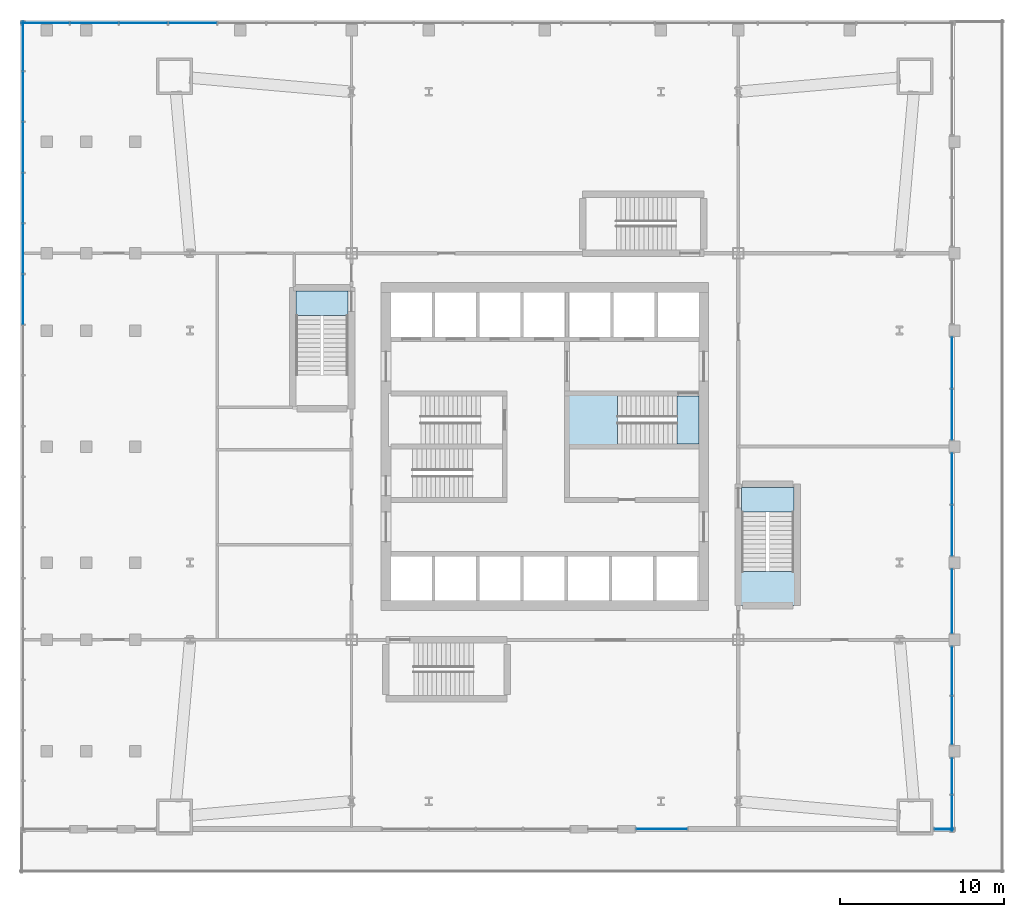
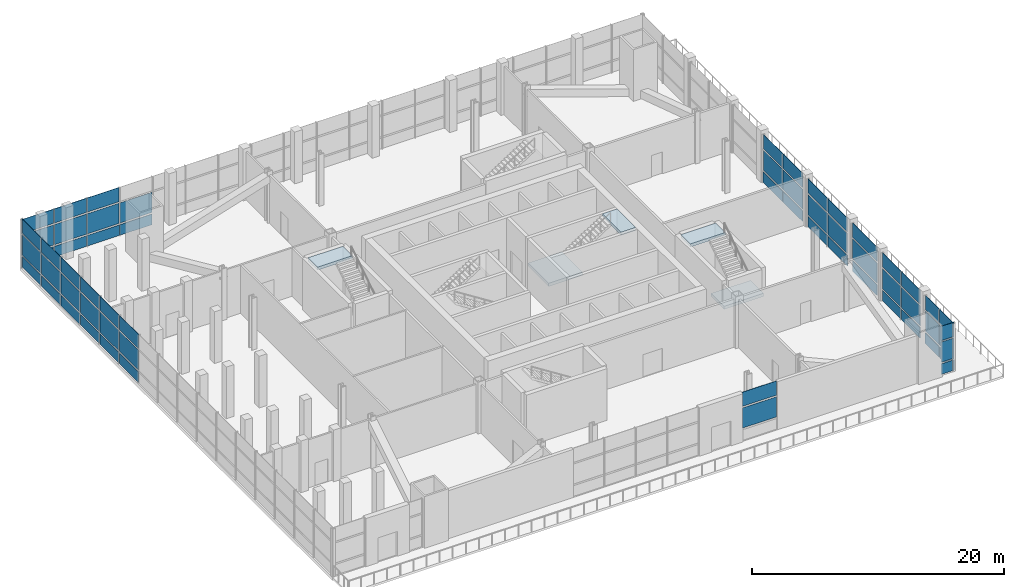
# One storey, part 7 of 12: 61 plates, 5 slabs, 12 elements without a shape of their own.
"""IFC4 building model written with IfcOpenShell, lengths in metres."""

from ifc_helpers import new_model, si_unit, direction, frame, origin, origin_2d, place, context, subcontext, project, spatial, polyline, rectangle, outline, extrude, material, layer, layer_set, type_object, element, aggregate, save


model = new_model("IFC4")

# Units and contexts
model_context = context("Model", 3, precision=1e-05, world=origin(), true_north=direction((0.0, 1.0)))
body_context = subcontext(model_context, "Body", "Model", "MODEL_VIEW")
ifc_project = project(units=[si_unit("LENGTHUNIT", "METRE"), si_unit("AREAUNIT", "SQUARE_METRE"), si_unit("VOLUMEUNIT", "CUBIC_METRE"), si_unit("PLANEANGLEUNIT", "RADIAN"), si_unit("MASSUNIT", "GRAM", prefix="KILO")], contexts=[model_context])

# Site, building, storey
site_placement = place(None, origin())
site = spatial("IfcSite", under=ifc_project, at=site_placement, CompositionType="ELEMENT")
building_placement = place(site_placement, origin())
building = spatial("IfcBuilding", under=site, at=building_placement, Name="Turquesa Mirador Hotel Tower", CompositionType="ELEMENT")
storey_placement = place(building_placement, frame((0.0, 0.0, 11.0)))
storey = spatial("IfcBuildingStorey", under=building, at=storey_placement, Name="L02", CompositionType="ELEMENT", Elevation=11.0)

# Curtain wall, plate
ifc_material_1 = material(Name="Aluminium extrusion", Category="aluminium")
curtain_wall_type = type_object("IfcCurtainWallType", Name="CW-2 PODIUM CURTAIN WALL", PredefinedType="USERDEFINED", material=ifc_material_1)
curtain_wall_1_placement = place(storey_placement, origin())
curtain_wall_1 = element("IfcCurtainWall", 1, at=curtain_wall_1_placement, inside=storey, type_object=curtain_wall_type, Name="CW-2 PODIUM CURTAIN WALL L02", ObjectType="CURTAIN WALL", PredefinedType="USERDEFINED")
ifc_material_2 = material(Name="Ceramic-printed spandrel glass on an insulated back pan", Category="glass")
ifc_layer_1 = layer(ifc_material_2, 0.050048828125)
ifc_layer_set_1 = layer_set([ifc_layer_1], Name="CW PANEL SPANDREL CERAMIC")
plate_type_1 = type_object("IfcPlateType", Name="CW PANEL SPANDREL CERAMIC", PredefinedType="CURTAIN_PANEL", material=ifc_layer_set_1)
plate_1_placement = place(storey_placement, frame((79.3671875, 21.64990234375, 0.0), z_axis=(0.0, 0.0, 1.0), x_axis=(1.0, 0.0, 0.0)))
plate_1 = element("IfcPlate", 2, at=plate_1_placement, type_object=plate_type_1, Name="Panel", PredefinedType="CURTAIN_PANEL", context=body_context, shape_type="SweptSolid", body=[
    extrude(rectangle(XDim=1.200439453125, YDim=0.050048828125, at=origin_2d()), origin(), (0.0, 0.0, 1.0), 1.02490234375),
])

# Curtain wall, plates
curtain_wall_2_placement = place(storey_placement, origin())
curtain_wall_2 = element("IfcCurtainWall", 3, at=curtain_wall_2_placement, inside=storey, type_object=curtain_wall_type, Name="CW-2 PODIUM CURTAIN WALL L02", ObjectType="CURTAIN WALL", PredefinedType="USERDEFINED")
plate_2_placement = place(storey_placement, frame((79.85009765625, 22.62890625, 0.0), z_axis=(0.0, 0.0, 1.0), x_axis=(0.0, 1.0, 0.0)))
plate_2 = element("IfcPlate", 4, at=plate_2_placement, type_object=plate_type_1, Name="Panel", PredefinedType="CURTAIN_PANEL", context=body_context, shape_type="SweptSolid", body=[
    extrude(rectangle(XDim=2.19287109375, YDim=0.050048828125, at=origin_2d()), origin(), (0.0, 0.0, 1.0), 1.02490234375),
])
plate_3_placement = place(storey_placement, frame((79.85009765625, 24.88671875, 0.0), z_axis=(0.0, 0.0, 1.0), x_axis=(0.0, 1.0, 0.0)))
plate_3 = element("IfcPlate", 5, at=plate_3_placement, type_object=plate_type_1, Name="Panel", PredefinedType="CURTAIN_PANEL", context=body_context, shape_type="SweptSolid", body=[
    extrude(rectangle(XDim=2.19287109375, YDim=0.050048828125, at=origin_2d()), origin(), (0.0, 0.0, 1.0), 1.02490234375),
])

curtain_wall_3_placement = place(storey_placement, origin())
curtain_wall_3 = element("IfcCurtainWall", 6, at=curtain_wall_3_placement, inside=storey, type_object=curtain_wall_type, Name="CW-2 PODIUM CURTAIN WALL L02", ObjectType="CURTAIN WALL", PredefinedType="USERDEFINED")
plate_4_placement = place(storey_placement, frame((79.85009765625, 28.292236328125, 0.0), z_axis=(0.0, 0.0, 1.0), x_axis=(0.0, 1.0, 0.0)))
plate_4 = element("IfcPlate", 7, at=plate_4_placement, type_object=plate_type_1, Name="Panel", PredefinedType="CURTAIN_PANEL", context=body_context, shape_type="SweptSolid", body=[
    extrude(rectangle(XDim=2.950439453125, YDim=0.050048828125, at=origin_2d()), origin(), (0.0, 0.0, 1.0), 1.02490234375),
])
plate_5_placement = place(storey_placement, frame((79.85009765625, 31.307861328125, 0.0), z_axis=(0.0, 0.0, 1.0), x_axis=(0.0, 1.0, 0.0)))
plate_5 = element("IfcPlate", 8, at=plate_5_placement, type_object=plate_type_1, Name="Panel", PredefinedType="CURTAIN_PANEL", context=body_context, shape_type="SweptSolid", body=[
    extrude(rectangle(XDim=2.950439453125, YDim=0.050048828125, at=origin_2d()), origin(), (0.0, 0.0, 1.0), 1.02490234375),
])

# Curtain wall, plate
curtain_wall_4_placement = place(storey_placement, origin())
curtain_wall_4 = element("IfcCurtainWall", 9, at=curtain_wall_4_placement, inside=storey, type_object=curtain_wall_type, Name="CW-2 PODIUM CURTAIN WALL L02", ObjectType="CURTAIN WALL", PredefinedType="USERDEFINED")
plate_6_placement = place(storey_placement, frame((79.85009765625, 35.56005859375, 0.0), z_axis=(0.0, 0.0, 1.0), x_axis=(0.0, 1.0, 0.0)))
plate_6 = element("IfcPlate", 10, at=plate_6_placement, type_object=plate_type_1, Name="Panel", PredefinedType="CURTAIN_PANEL", context=body_context, shape_type="SweptSolid", body=[
    extrude(rectangle(XDim=3.885986328125, YDim=0.050048828125, at=origin_2d()), origin(), (0.0, 0.0, 1.0), 1.02490234375),
])

# Curtain wall, plates
curtain_wall_5_placement = place(storey_placement, origin())
curtain_wall_5 = element("IfcCurtainWall", 11, at=curtain_wall_5_placement, inside=storey, type_object=curtain_wall_type, Name="CW-2 PODIUM CURTAIN WALL L02", ObjectType="CURTAIN WALL", PredefinedType="USERDEFINED")
plate_7_placement = place(storey_placement, frame((79.85009765625, 39.88232421875, 0.0), z_axis=(0.0, 0.0, 1.0), x_axis=(0.0, 1.0, 0.0)))
plate_7 = element("IfcPlate", 12, at=plate_7_placement, type_object=plate_type_1, Name="Panel", PredefinedType="CURTAIN_PANEL", context=body_context, shape_type="SweptSolid", body=[
    extrude(rectangle(XDim=3.090576171875, YDim=0.050048828125, at=origin_2d()), origin(), (0.0, 0.0, 1.0), 1.02490234375),
])
plate_8_placement = place(storey_placement, frame((79.85009765625, 43.037841796875, 0.0), z_axis=(0.0, 0.0, 1.0), x_axis=(0.0, 1.0, 0.0)))
plate_8 = element("IfcPlate", 13, at=plate_8_placement, type_object=plate_type_1, Name="Panel", PredefinedType="CURTAIN_PANEL", context=body_context, shape_type="SweptSolid", body=[
    extrude(rectangle(XDim=3.090576171875, YDim=0.050048828125, at=origin_2d()), origin(), (0.0, 0.0, 1.0), 1.02490234375),
])

curtain_wall_6_placement = place(storey_placement, origin())
curtain_wall_6 = element("IfcCurtainWall", 14, at=curtain_wall_6_placement, inside=storey, type_object=curtain_wall_type, Name="CW-2 PODIUM CURTAIN WALL L02", ObjectType="CURTAIN WALL", PredefinedType="USERDEFINED")
plate_9_placement = place(storey_placement, frame((79.85009765625, 46.962158203125, 0.0), z_axis=(0.0, 0.0, 1.0), x_axis=(0.0, 1.0, 0.0)))
plate_9 = element("IfcPlate", 15, at=plate_9_placement, type_object=plate_type_1, Name="Panel", PredefinedType="CURTAIN_PANEL", context=body_context, shape_type="SweptSolid", body=[
    extrude(rectangle(XDim=3.090576171875, YDim=0.050048828125, at=origin_2d()), origin(), (0.0, 0.0, 1.0), 1.02490234375),
])
plate_10_placement = place(storey_placement, frame((79.85009765625, 50.11767578125, 0.0), z_axis=(0.0, 0.0, 1.0), x_axis=(0.0, 1.0, 0.0)))
plate_10 = element("IfcPlate", 16, at=plate_10_placement, type_object=plate_type_1, Name="Panel", PredefinedType="CURTAIN_PANEL", context=body_context, shape_type="SweptSolid", body=[
    extrude(rectangle(XDim=3.090576171875, YDim=0.050048828125, at=origin_2d()), origin(), (0.0, 0.0, 1.0), 1.02490234375),
])

curtain_wall_7_placement = place(storey_placement, origin())
curtain_wall_7 = element("IfcCurtainWall", 17, at=curtain_wall_7_placement, inside=storey, type_object=curtain_wall_type, Name="CW-2 PODIUM CURTAIN WALL L02", ObjectType="CURTAIN WALL", PredefinedType="USERDEFINED")
plate_11_placement = place(storey_placement, frame((33.5, 70.85009765625, 0.0), z_axis=(0.0, 0.0, 1.0), x_axis=(-1.0, 0.0, 0.0)))
plate_11 = element("IfcPlate", 18, at=plate_11_placement, type_object=plate_type_1, Name="Panel", PredefinedType="CURTAIN_PANEL", context=body_context, shape_type="SweptSolid", body=[
    extrude(rectangle(XDim=2.93505859375, YDim=0.050048828125, at=origin_2d()), origin(), (0.0, 0.0, 1.0), 1.02490234375),
])
plate_12_placement = place(storey_placement, frame((30.5, 70.85009765625, 0.0), z_axis=(0.0, 0.0, 1.0), x_axis=(-1.0, 0.0, 0.0)))
plate_12 = element("IfcPlate", 19, at=plate_12_placement, type_object=plate_type_1, Name="Panel", PredefinedType="CURTAIN_PANEL", context=body_context, shape_type="SweptSolid", body=[
    extrude(rectangle(XDim=2.93505859375, YDim=0.050048828125, at=origin_2d()), origin(), (0.0, 0.0, 1.0), 1.02490234375),
])
plate_13_placement = place(storey_placement, frame((27.5, 70.85009765625, 0.0), z_axis=(0.0, 0.0, 1.0), x_axis=(-1.0, 0.0, 0.0)))
plate_13 = element("IfcPlate", 20, at=plate_13_placement, type_object=plate_type_1, Name="Panel", PredefinedType="CURTAIN_PANEL", context=body_context, shape_type="SweptSolid", body=[
    extrude(rectangle(XDim=2.93505859375, YDim=0.050048828125, at=origin_2d()), origin(), (0.0, 0.0, 1.0), 1.02490234375),
])
plate_14_placement = place(storey_placement, frame((24.5, 70.85009765625, 0.0), z_axis=(0.0, 0.0, 1.0), x_axis=(-1.0, 0.0, 0.0)))
plate_14 = element("IfcPlate", 21, at=plate_14_placement, type_object=plate_type_1, Name="Panel", PredefinedType="CURTAIN_PANEL", context=body_context, shape_type="SweptSolid", body=[
    extrude(rectangle(XDim=2.93505859375, YDim=0.050048828125, at=origin_2d()), origin(), (0.0, 0.0, 1.0), 1.02490234375),
])

curtain_wall_8_placement = place(storey_placement, origin())
curtain_wall_8 = element("IfcCurtainWall", 22, at=curtain_wall_8_placement, inside=storey, type_object=curtain_wall_type, Name="CW-2 PODIUM CURTAIN WALL L02", ObjectType="CURTAIN WALL", PredefinedType="USERDEFINED")
plate_15_placement = place(storey_placement, frame((23.14990234375, 69.453125, 0.0), z_axis=(0.0, 0.0, 1.0), x_axis=(0.0, -1.0, 0.0)))
plate_15 = element("IfcPlate", 23, at=plate_15_placement, type_object=plate_type_1, Name="Panel", PredefinedType="CURTAIN_PANEL", context=body_context, shape_type="SweptSolid", body=[
    extrude(rectangle(XDim=3.02880859375, YDim=0.050048828125, at=origin_2d()), origin(), (0.0, 0.0, 1.0), 1.02490234375),
])
plate_16_placement = place(storey_placement, frame((23.14990234375, 66.359375, 0.0), z_axis=(0.0, 0.0, 1.0), x_axis=(0.0, -1.0, 0.0)))
plate_16 = element("IfcPlate", 24, at=plate_16_placement, type_object=plate_type_1, Name="Panel", PredefinedType="CURTAIN_PANEL", context=body_context, shape_type="SweptSolid", body=[
    extrude(rectangle(XDim=3.02880859375, YDim=0.050048828125, at=origin_2d()), origin(), (0.0, 0.0, 1.0), 1.02490234375),
])
plate_17_placement = place(storey_placement, frame((23.14990234375, 63.265625, 0.0), z_axis=(0.0, 0.0, 1.0), x_axis=(0.0, -1.0, 0.0)))
plate_17 = element("IfcPlate", 25, at=plate_17_placement, type_object=plate_type_1, Name="Panel", PredefinedType="CURTAIN_PANEL", context=body_context, shape_type="SweptSolid", body=[
    extrude(rectangle(XDim=3.02880859375, YDim=0.050048828125, at=origin_2d()), origin(), (0.0, 0.0, 1.0), 1.02490234375),
])
plate_18_placement = place(storey_placement, frame((23.14990234375, 60.171875, 0.0), z_axis=(0.0, 0.0, 1.0), x_axis=(0.0, -1.0, 0.0)))
plate_18 = element("IfcPlate", 26, at=plate_18_placement, type_object=plate_type_1, Name="Panel", PredefinedType="CURTAIN_PANEL", context=body_context, shape_type="SweptSolid", body=[
    extrude(rectangle(XDim=3.02880859375, YDim=0.050048828125, at=origin_2d()), origin(), (0.0, 0.0, 1.0), 1.02490234375),
])
plate_19_placement = place(storey_placement, frame((23.14990234375, 57.078125, 0.0), z_axis=(0.0, 0.0, 1.0), x_axis=(0.0, -1.0, 0.0)))
plate_19 = element("IfcPlate", 27, at=plate_19_placement, type_object=plate_type_1, Name="Panel", PredefinedType="CURTAIN_PANEL", context=body_context, shape_type="SweptSolid", body=[
    extrude(rectangle(XDim=3.02880859375, YDim=0.050048828125, at=origin_2d()), origin(), (0.0, 0.0, 1.0), 1.02490234375),
])
plate_20_placement = place(storey_placement, frame((23.14990234375, 53.984375, 0.0), z_axis=(0.0, 0.0, 1.0), x_axis=(0.0, -1.0, 0.0)))
plate_20 = element("IfcPlate", 28, at=plate_20_placement, type_object=plate_type_1, Name="Panel", PredefinedType="CURTAIN_PANEL", context=body_context, shape_type="SweptSolid", body=[
    extrude(rectangle(XDim=3.02880859375, YDim=0.050048828125, at=origin_2d()), origin(), (0.0, 0.0, 1.0), 1.02490234375),
])

curtain_wall_9_placement = place(storey_placement, origin())
curtain_wall_9 = element("IfcCurtainWall", 29, at=curtain_wall_9_placement, inside=storey, type_object=curtain_wall_type, Name="CW-2 PODIUM CURTAIN WALL L02", ObjectType="CURTAIN WALL", PredefinedType="USERDEFINED")
ifc_material_3 = material(Name="Ceramic-fritted laminated glass", Category="glass")
ifc_layer_2 = layer(ifc_material_3, 0.031982421875)
ifc_layer_set_2 = layer_set([ifc_layer_2], Name="CW PANEL VISION FRITTED")
plate_type_2 = type_object("IfcPlateType", Name="CW PANEL VISION FRITTED", PredefinedType="CURTAIN_PANEL", material=ifc_layer_set_2)
plate_21_placement = place(storey_placement, frame((62.132568359375, 21.64990234375, 1.1748046875), z_axis=(0.0, 0.0, 1.0), x_axis=(1.0, 0.0, 0.0)))
plate_21 = element("IfcPlate", 30, at=plate_21_placement, type_object=plate_type_2, Name="Panel", PredefinedType="CURTAIN_PANEL", context=body_context, shape_type="SweptSolid", body=[
    extrude(rectangle(XDim=3.1201171875, YDim=0.031982421875, at=origin_2d()), origin(), (0.0, 0.0, 1.0), 1.949951171875),
])
plate_22_placement = place(storey_placement, frame((62.132568359375, 21.64990234375, 3.27490234375), z_axis=(0.0, 0.0, 1.0), x_axis=(1.0, 0.0, 0.0)))
plate_22 = element("IfcPlate", 31, at=plate_22_placement, type_object=plate_type_2, Name="Panel", PredefinedType="CURTAIN_PANEL", context=body_context, shape_type="SweptSolid", body=[
    extrude(rectangle(XDim=3.1201171875, YDim=0.031982421875, at=origin_2d()), origin(), (0.0, 0.0, 1.0), 1.375),
])
aggregate(curtain_wall_9, [plate_21, plate_22])

# Plate
plate_23_placement = place(storey_placement, frame((79.3671875, 21.64990234375, 1.1748046875), z_axis=(0.0, 0.0, 1.0), x_axis=(1.0, 0.0, 0.0)))
plate_23 = element("IfcPlate", 32, at=plate_23_placement, type_object=plate_type_2, Name="Panel", PredefinedType="CURTAIN_PANEL", context=body_context, shape_type="SweptSolid", body=[
    extrude(rectangle(XDim=1.200439453125, YDim=0.031982421875, at=origin_2d()), origin(), (0.0, 0.0, 1.0), 1.949951171875),
])

plate_24_placement = place(storey_placement, frame((79.3671875, 21.64990234375, 3.27490234375), z_axis=(0.0, 0.0, 1.0), x_axis=(1.0, 0.0, 0.0)))
plate_24 = element("IfcPlate", 33, at=plate_24_placement, type_object=plate_type_2, Name="Panel", PredefinedType="CURTAIN_PANEL", context=body_context, shape_type="SweptSolid", body=[
    extrude(rectangle(XDim=1.200439453125, YDim=0.031982421875, at=origin_2d()), origin(), (0.0, 0.0, 1.0), 1.375),
])

aggregate(curtain_wall_1, [plate_1, plate_23, plate_24])

plate_25_placement = place(storey_placement, frame((79.85009765625, 22.62890625, 1.1748046875), z_axis=(0.0, 0.0, 1.0), x_axis=(0.0, 1.0, 0.0)))
plate_25 = element("IfcPlate", 34, at=plate_25_placement, type_object=plate_type_2, Name="Panel", PredefinedType="CURTAIN_PANEL", context=body_context, shape_type="SweptSolid", body=[
    extrude(rectangle(XDim=2.19287109375, YDim=0.031982421875, at=origin_2d()), origin(), (0.0, 0.0, 1.0), 1.949951171875),
])

plate_26_placement = place(storey_placement, frame((79.85009765625, 22.62890625, 3.27490234375), z_axis=(0.0, 0.0, 1.0), x_axis=(0.0, 1.0, 0.0)))
plate_26 = element("IfcPlate", 35, at=plate_26_placement, type_object=plate_type_2, Name="Panel", PredefinedType="CURTAIN_PANEL", context=body_context, shape_type="SweptSolid", body=[
    extrude(rectangle(XDim=2.19287109375, YDim=0.031982421875, at=origin_2d()), origin(), (0.0, 0.0, 1.0), 1.375),
])

plate_27_placement = place(storey_placement, frame((79.85009765625, 24.88671875, 1.1748046875), z_axis=(0.0, 0.0, 1.0), x_axis=(0.0, 1.0, 0.0)))
plate_27 = element("IfcPlate", 36, at=plate_27_placement, type_object=plate_type_2, Name="Panel", PredefinedType="CURTAIN_PANEL", context=body_context, shape_type="SweptSolid", body=[
    extrude(rectangle(XDim=2.19287109375, YDim=0.031982421875, at=origin_2d()), origin(), (0.0, 0.0, 1.0), 1.949951171875),
])

plate_28_placement = place(storey_placement, frame((79.85009765625, 24.88671875, 3.27490234375), z_axis=(0.0, 0.0, 1.0), x_axis=(0.0, 1.0, 0.0)))
plate_28 = element("IfcPlate", 37, at=plate_28_placement, type_object=plate_type_2, Name="Panel", PredefinedType="CURTAIN_PANEL", context=body_context, shape_type="SweptSolid", body=[
    extrude(rectangle(XDim=2.19287109375, YDim=0.031982421875, at=origin_2d()), origin(), (0.0, 0.0, 1.0), 1.375),
])

aggregate(curtain_wall_2, [plate_2, plate_25, plate_26, plate_3, plate_27, plate_28])

plate_29_placement = place(storey_placement, frame((79.85009765625, 28.292236328125, 1.1748046875), z_axis=(0.0, 0.0, 1.0), x_axis=(0.0, 1.0, 0.0)))
plate_29 = element("IfcPlate", 38, at=plate_29_placement, type_object=plate_type_2, Name="Panel", PredefinedType="CURTAIN_PANEL", context=body_context, shape_type="SweptSolid", body=[
    extrude(rectangle(XDim=2.950439453125, YDim=0.031982421875, at=origin_2d()), origin(), (0.0, 0.0, 1.0), 1.949951171875),
])

plate_30_placement = place(storey_placement, frame((79.85009765625, 28.292236328125, 3.27490234375), z_axis=(0.0, 0.0, 1.0), x_axis=(0.0, 1.0, 0.0)))
plate_30 = element("IfcPlate", 39, at=plate_30_placement, type_object=plate_type_2, Name="Panel", PredefinedType="CURTAIN_PANEL", context=body_context, shape_type="SweptSolid", body=[
    extrude(rectangle(XDim=2.950439453125, YDim=0.031982421875, at=origin_2d()), origin(), (0.0, 0.0, 1.0), 1.375),
])

plate_31_placement = place(storey_placement, frame((79.85009765625, 31.307861328125, 1.1748046875), z_axis=(0.0, 0.0, 1.0), x_axis=(0.0, 1.0, 0.0)))
plate_31 = element("IfcPlate", 40, at=plate_31_placement, type_object=plate_type_2, Name="Panel", PredefinedType="CURTAIN_PANEL", context=body_context, shape_type="SweptSolid", body=[
    extrude(rectangle(XDim=2.950439453125, YDim=0.031982421875, at=origin_2d()), origin(), (0.0, 0.0, 1.0), 1.949951171875),
])

plate_32_placement = place(storey_placement, frame((79.85009765625, 31.307861328125, 3.27490234375), z_axis=(0.0, 0.0, 1.0), x_axis=(0.0, 1.0, 0.0)))
plate_32 = element("IfcPlate", 41, at=plate_32_placement, type_object=plate_type_2, Name="Panel", PredefinedType="CURTAIN_PANEL", context=body_context, shape_type="SweptSolid", body=[
    extrude(rectangle(XDim=2.950439453125, YDim=0.031982421875, at=origin_2d()), origin(), (0.0, 0.0, 1.0), 1.375),
])

aggregate(curtain_wall_3, [plate_4, plate_29, plate_30, plate_5, plate_31, plate_32])

plate_33_placement = place(storey_placement, frame((79.85009765625, 35.56005859375, 1.1748046875), z_axis=(0.0, 0.0, 1.0), x_axis=(0.0, 1.0, 0.0)))
plate_33 = element("IfcPlate", 42, at=plate_33_placement, type_object=plate_type_2, Name="Panel", PredefinedType="CURTAIN_PANEL", context=body_context, shape_type="SweptSolid", body=[
    extrude(rectangle(XDim=3.885986328125, YDim=0.031982421875, at=origin_2d()), origin(), (0.0, 0.0, 1.0), 1.949951171875),
])

plate_34_placement = place(storey_placement, frame((79.85009765625, 35.56005859375, 3.27490234375), z_axis=(0.0, 0.0, 1.0), x_axis=(0.0, 1.0, 0.0)))
plate_34 = element("IfcPlate", 43, at=plate_34_placement, type_object=plate_type_2, Name="Panel", PredefinedType="CURTAIN_PANEL", context=body_context, shape_type="SweptSolid", body=[
    extrude(rectangle(XDim=3.885986328125, YDim=0.031982421875, at=origin_2d()), origin(), (0.0, 0.0, 1.0), 1.375),
])

aggregate(curtain_wall_4, [plate_6, plate_33, plate_34])

plate_35_placement = place(storey_placement, frame((79.85009765625, 39.88232421875, 1.1748046875), z_axis=(0.0, 0.0, 1.0), x_axis=(0.0, 1.0, 0.0)))
plate_35 = element("IfcPlate", 44, at=plate_35_placement, type_object=plate_type_2, Name="Panel", PredefinedType="CURTAIN_PANEL", context=body_context, shape_type="SweptSolid", body=[
    extrude(rectangle(XDim=3.090576171875, YDim=0.031982421875, at=origin_2d()), origin(), (0.0, 0.0, 1.0), 1.949951171875),
])

plate_36_placement = place(storey_placement, frame((79.85009765625, 39.88232421875, 3.27490234375), z_axis=(0.0, 0.0, 1.0), x_axis=(0.0, 1.0, 0.0)))
plate_36 = element("IfcPlate", 45, at=plate_36_placement, type_object=plate_type_2, Name="Panel", PredefinedType="CURTAIN_PANEL", context=body_context, shape_type="SweptSolid", body=[
    extrude(rectangle(XDim=3.090576171875, YDim=0.031982421875, at=origin_2d()), origin(), (0.0, 0.0, 1.0), 1.375),
])

plate_37_placement = place(storey_placement, frame((79.85009765625, 43.037841796875, 1.1748046875), z_axis=(0.0, 0.0, 1.0), x_axis=(0.0, 1.0, 0.0)))
plate_37 = element("IfcPlate", 46, at=plate_37_placement, type_object=plate_type_2, Name="Panel", PredefinedType="CURTAIN_PANEL", context=body_context, shape_type="SweptSolid", body=[
    extrude(rectangle(XDim=3.090576171875, YDim=0.031982421875, at=origin_2d()), origin(), (0.0, 0.0, 1.0), 1.949951171875),
])

plate_38_placement = place(storey_placement, frame((79.85009765625, 43.037841796875, 3.27490234375), z_axis=(0.0, 0.0, 1.0), x_axis=(0.0, 1.0, 0.0)))
plate_38 = element("IfcPlate", 47, at=plate_38_placement, type_object=plate_type_2, Name="Panel", PredefinedType="CURTAIN_PANEL", context=body_context, shape_type="SweptSolid", body=[
    extrude(rectangle(XDim=3.090576171875, YDim=0.031982421875, at=origin_2d()), origin(), (0.0, 0.0, 1.0), 1.375),
])

aggregate(curtain_wall_5, [plate_7, plate_35, plate_36, plate_8, plate_37, plate_38])

plate_39_placement = place(storey_placement, frame((79.85009765625, 46.962158203125, 1.1748046875), z_axis=(0.0, 0.0, 1.0), x_axis=(0.0, 1.0, 0.0)))
plate_39 = element("IfcPlate", 48, at=plate_39_placement, type_object=plate_type_2, Name="Panel", PredefinedType="CURTAIN_PANEL", context=body_context, shape_type="SweptSolid", body=[
    extrude(rectangle(XDim=3.090576171875, YDim=0.031982421875, at=origin_2d()), origin(), (0.0, 0.0, 1.0), 1.949951171875),
])

plate_40_placement = place(storey_placement, frame((79.85009765625, 46.962158203125, 3.27490234375), z_axis=(0.0, 0.0, 1.0), x_axis=(0.0, 1.0, 0.0)))
plate_40 = element("IfcPlate", 49, at=plate_40_placement, type_object=plate_type_2, Name="Panel", PredefinedType="CURTAIN_PANEL", context=body_context, shape_type="SweptSolid", body=[
    extrude(rectangle(XDim=3.090576171875, YDim=0.031982421875, at=origin_2d()), origin(), (0.0, 0.0, 1.0), 1.375),
])

plate_41_placement = place(storey_placement, frame((79.85009765625, 50.11767578125, 1.1748046875), z_axis=(0.0, 0.0, 1.0), x_axis=(0.0, 1.0, 0.0)))
plate_41 = element("IfcPlate", 50, at=plate_41_placement, type_object=plate_type_2, Name="Panel", PredefinedType="CURTAIN_PANEL", context=body_context, shape_type="SweptSolid", body=[
    extrude(rectangle(XDim=3.090576171875, YDim=0.031982421875, at=origin_2d()), origin(), (0.0, 0.0, 1.0), 1.949951171875),
])

plate_42_placement = place(storey_placement, frame((79.85009765625, 50.11767578125, 3.27490234375), z_axis=(0.0, 0.0, 1.0), x_axis=(0.0, 1.0, 0.0)))
plate_42 = element("IfcPlate", 51, at=plate_42_placement, type_object=plate_type_2, Name="Panel", PredefinedType="CURTAIN_PANEL", context=body_context, shape_type="SweptSolid", body=[
    extrude(rectangle(XDim=3.090576171875, YDim=0.031982421875, at=origin_2d()), origin(), (0.0, 0.0, 1.0), 1.375),
])

aggregate(curtain_wall_6, [plate_9, plate_39, plate_40, plate_10, plate_41, plate_42])

plate_43_placement = place(storey_placement, frame((33.5, 70.85009765625, 1.1748046875), z_axis=(0.0, 0.0, 1.0), x_axis=(-1.0, 0.0, 0.0)))
plate_43 = element("IfcPlate", 52, at=plate_43_placement, type_object=plate_type_2, Name="Panel", PredefinedType="CURTAIN_PANEL", context=body_context, shape_type="SweptSolid", body=[
    extrude(rectangle(XDim=2.93505859375, YDim=0.031982421875, at=origin_2d()), origin(), (0.0, 0.0, 1.0), 1.949951171875),
])

plate_44_placement = place(storey_placement, frame((30.5, 70.85009765625, 1.1748046875), z_axis=(0.0, 0.0, 1.0), x_axis=(-1.0, 0.0, 0.0)))
plate_44 = element("IfcPlate", 53, at=plate_44_placement, type_object=plate_type_2, Name="Panel", PredefinedType="CURTAIN_PANEL", context=body_context, shape_type="SweptSolid", body=[
    extrude(rectangle(XDim=2.93505859375, YDim=0.031982421875, at=origin_2d()), origin(), (0.0, 0.0, 1.0), 1.949951171875),
])

plate_45_placement = place(storey_placement, frame((30.5, 70.85009765625, 3.27490234375), z_axis=(0.0, 0.0, 1.0), x_axis=(-1.0, 0.0, 0.0)))
plate_45 = element("IfcPlate", 54, at=plate_45_placement, type_object=plate_type_2, Name="Panel", PredefinedType="CURTAIN_PANEL", context=body_context, shape_type="SweptSolid", body=[
    extrude(rectangle(XDim=2.93505859375, YDim=0.031982421875, at=origin_2d()), origin(), (0.0, 0.0, 1.0), 1.375),
])

plate_46_placement = place(storey_placement, frame((27.5, 70.85009765625, 1.1748046875), z_axis=(0.0, 0.0, 1.0), x_axis=(-1.0, 0.0, 0.0)))
plate_46 = element("IfcPlate", 55, at=plate_46_placement, type_object=plate_type_2, Name="Panel", PredefinedType="CURTAIN_PANEL", context=body_context, shape_type="SweptSolid", body=[
    extrude(rectangle(XDim=2.93505859375, YDim=0.031982421875, at=origin_2d()), origin(), (0.0, 0.0, 1.0), 1.949951171875),
])

plate_47_placement = place(storey_placement, frame((27.5, 70.85009765625, 3.27490234375), z_axis=(0.0, 0.0, 1.0), x_axis=(-1.0, 0.0, 0.0)))
plate_47 = element("IfcPlate", 56, at=plate_47_placement, type_object=plate_type_2, Name="Panel", PredefinedType="CURTAIN_PANEL", context=body_context, shape_type="SweptSolid", body=[
    extrude(rectangle(XDim=2.93505859375, YDim=0.031982421875, at=origin_2d()), origin(), (0.0, 0.0, 1.0), 1.375),
])

plate_48_placement = place(storey_placement, frame((24.5, 70.85009765625, 1.1748046875), z_axis=(0.0, 0.0, 1.0), x_axis=(-1.0, 0.0, 0.0)))
plate_48 = element("IfcPlate", 57, at=plate_48_placement, type_object=plate_type_2, Name="Panel", PredefinedType="CURTAIN_PANEL", context=body_context, shape_type="SweptSolid", body=[
    extrude(rectangle(XDim=2.93505859375, YDim=0.031982421875, at=origin_2d()), origin(), (0.0, 0.0, 1.0), 1.949951171875),
])

plate_49_placement = place(storey_placement, frame((24.5, 70.85009765625, 3.27490234375), z_axis=(0.0, 0.0, 1.0), x_axis=(-1.0, 0.0, 0.0)))
plate_49 = element("IfcPlate", 58, at=plate_49_placement, type_object=plate_type_2, Name="Panel", PredefinedType="CURTAIN_PANEL", context=body_context, shape_type="SweptSolid", body=[
    extrude(rectangle(XDim=2.93505859375, YDim=0.031982421875, at=origin_2d()), origin(), (0.0, 0.0, 1.0), 1.375),
])

aggregate(curtain_wall_7, [plate_11, plate_43, plate_12, plate_44, plate_45, plate_13, plate_46, plate_47, plate_14, plate_48, plate_49])

plate_50_placement = place(storey_placement, frame((23.14990234375, 69.453125, 1.1748046875), z_axis=(0.0, 0.0, 1.0), x_axis=(0.0, -1.0, 0.0)))
plate_50 = element("IfcPlate", 59, at=plate_50_placement, type_object=plate_type_2, Name="Panel", PredefinedType="CURTAIN_PANEL", context=body_context, shape_type="SweptSolid", body=[
    extrude(rectangle(XDim=3.02880859375, YDim=0.031982421875, at=origin_2d()), origin(), (0.0, 0.0, 1.0), 1.949951171875),
])

plate_51_placement = place(storey_placement, frame((23.14990234375, 69.453125, 3.27490234375), z_axis=(0.0, 0.0, 1.0), x_axis=(0.0, -1.0, 0.0)))
plate_51 = element("IfcPlate", 60, at=plate_51_placement, type_object=plate_type_2, Name="Panel", PredefinedType="CURTAIN_PANEL", context=body_context, shape_type="SweptSolid", body=[
    extrude(rectangle(XDim=3.02880859375, YDim=0.031982421875, at=origin_2d()), origin(), (0.0, 0.0, 1.0), 1.375),
])

plate_52_placement = place(storey_placement, frame((23.14990234375, 66.359375, 1.1748046875), z_axis=(0.0, 0.0, 1.0), x_axis=(0.0, -1.0, 0.0)))
plate_52 = element("IfcPlate", 61, at=plate_52_placement, type_object=plate_type_2, Name="Panel", PredefinedType="CURTAIN_PANEL", context=body_context, shape_type="SweptSolid", body=[
    extrude(rectangle(XDim=3.02880859375, YDim=0.031982421875, at=origin_2d()), origin(), (0.0, 0.0, 1.0), 1.949951171875),
])

plate_53_placement = place(storey_placement, frame((23.14990234375, 66.359375, 3.27490234375), z_axis=(0.0, 0.0, 1.0), x_axis=(0.0, -1.0, 0.0)))
plate_53 = element("IfcPlate", 62, at=plate_53_placement, type_object=plate_type_2, Name="Panel", PredefinedType="CURTAIN_PANEL", context=body_context, shape_type="SweptSolid", body=[
    extrude(rectangle(XDim=3.02880859375, YDim=0.031982421875, at=origin_2d()), origin(), (0.0, 0.0, 1.0), 1.375),
])

plate_54_placement = place(storey_placement, frame((23.14990234375, 63.265625, 1.1748046875), z_axis=(0.0, 0.0, 1.0), x_axis=(0.0, -1.0, 0.0)))
plate_54 = element("IfcPlate", 63, at=plate_54_placement, type_object=plate_type_2, Name="Panel", PredefinedType="CURTAIN_PANEL", context=body_context, shape_type="SweptSolid", body=[
    extrude(rectangle(XDim=3.02880859375, YDim=0.031982421875, at=origin_2d()), origin(), (0.0, 0.0, 1.0), 1.949951171875),
])

plate_55_placement = place(storey_placement, frame((23.14990234375, 63.265625, 3.27490234375), z_axis=(0.0, 0.0, 1.0), x_axis=(0.0, -1.0, 0.0)))
plate_55 = element("IfcPlate", 64, at=plate_55_placement, type_object=plate_type_2, Name="Panel", PredefinedType="CURTAIN_PANEL", context=body_context, shape_type="SweptSolid", body=[
    extrude(rectangle(XDim=3.02880859375, YDim=0.031982421875, at=origin_2d()), origin(), (0.0, 0.0, 1.0), 1.375),
])

plate_56_placement = place(storey_placement, frame((23.14990234375, 60.171875, 1.1748046875), z_axis=(0.0, 0.0, 1.0), x_axis=(0.0, -1.0, 0.0)))
plate_56 = element("IfcPlate", 65, at=plate_56_placement, type_object=plate_type_2, Name="Panel", PredefinedType="CURTAIN_PANEL", context=body_context, shape_type="SweptSolid", body=[
    extrude(rectangle(XDim=3.02880859375, YDim=0.031982421875, at=origin_2d()), origin(), (0.0, 0.0, 1.0), 1.949951171875),
])

plate_57_placement = place(storey_placement, frame((23.14990234375, 60.171875, 3.27490234375), z_axis=(0.0, 0.0, 1.0), x_axis=(0.0, -1.0, 0.0)))
plate_57 = element("IfcPlate", 66, at=plate_57_placement, type_object=plate_type_2, Name="Panel", PredefinedType="CURTAIN_PANEL", context=body_context, shape_type="SweptSolid", body=[
    extrude(rectangle(XDim=3.02880859375, YDim=0.031982421875, at=origin_2d()), origin(), (0.0, 0.0, 1.0), 1.375),
])

plate_58_placement = place(storey_placement, frame((23.14990234375, 57.078125, 1.1748046875), z_axis=(0.0, 0.0, 1.0), x_axis=(0.0, -1.0, 0.0)))
plate_58 = element("IfcPlate", 67, at=plate_58_placement, type_object=plate_type_2, Name="Panel", PredefinedType="CURTAIN_PANEL", context=body_context, shape_type="SweptSolid", body=[
    extrude(rectangle(XDim=3.02880859375, YDim=0.031982421875, at=origin_2d()), origin(), (0.0, 0.0, 1.0), 1.949951171875),
])

plate_59_placement = place(storey_placement, frame((23.14990234375, 57.078125, 3.27490234375), z_axis=(0.0, 0.0, 1.0), x_axis=(0.0, -1.0, 0.0)))
plate_59 = element("IfcPlate", 68, at=plate_59_placement, type_object=plate_type_2, Name="Panel", PredefinedType="CURTAIN_PANEL", context=body_context, shape_type="SweptSolid", body=[
    extrude(rectangle(XDim=3.02880859375, YDim=0.031982421875, at=origin_2d()), origin(), (0.0, 0.0, 1.0), 1.375),
])

plate_60_placement = place(storey_placement, frame((23.14990234375, 53.984375, 1.1748046875), z_axis=(0.0, 0.0, 1.0), x_axis=(0.0, -1.0, 0.0)))
plate_60 = element("IfcPlate", 69, at=plate_60_placement, type_object=plate_type_2, Name="Panel", PredefinedType="CURTAIN_PANEL", context=body_context, shape_type="SweptSolid", body=[
    extrude(rectangle(XDim=3.02880859375, YDim=0.031982421875, at=origin_2d()), origin(), (0.0, 0.0, 1.0), 1.949951171875),
])

plate_61_placement = place(storey_placement, frame((23.14990234375, 53.984375, 3.27490234375), z_axis=(0.0, 0.0, 1.0), x_axis=(0.0, -1.0, 0.0)))
plate_61 = element("IfcPlate", 70, at=plate_61_placement, type_object=plate_type_2, Name="Panel", PredefinedType="CURTAIN_PANEL", context=body_context, shape_type="SweptSolid", body=[
    extrude(rectangle(XDim=3.02880859375, YDim=0.031982421875, at=origin_2d()), origin(), (0.0, 0.0, 1.0), 1.375),
])

aggregate(curtain_wall_8, [plate_15, plate_50, plate_51, plate_16, plate_52, plate_53, plate_17, plate_54, plate_55, plate_18, plate_56, plate_57, plate_19, plate_58, plate_59, plate_20, plate_60, plate_61])

# Stair, slabs
ifc_material_4 = material(Name="Concrete C35/45", Category="concrete")
stair_type_1 = type_object("IfcStairType", Name="ESCAPE STAIR CORE", PredefinedType="HALF_TURN_STAIR", material=ifc_material_4)
stair_1_placement = place(storey_placement, origin())
stair_1 = element("IfcStair", 71, at=stair_1_placement, inside=storey, type_object=stair_type_1, Name="Stair ST3 L02 to L03", PredefinedType="HALF_TURN_STAIR")
ifc_material_5 = material(Name="Concrete C35/45", Category="concrete")
ifc_layer_3 = layer(ifc_material_5, 0.300048828125)
ifc_layer_set_3 = layer_set([ifc_layer_3], Name="STAIR LANDING 300")
slab_type = type_object("IfcSlabType", Name="STAIR LANDING 300", PredefinedType="LANDING", material=ifc_layer_set_3)
slab_1_placement = place(storey_placement, frame((0.0, 0.0, 2.199951171875)))
slab_1 = element("IfcSlab", 72, at=slab_1_placement, type_object=slab_type, Name="ST3 landing 1", PredefinedType="LANDING", context=body_context, shape_type="SweptSolid", body=[
    extrude(outline(polyline([(56.35009765625, 45.0), (59.429931640625, 45.0), (59.429931640625, 48.25), (56.35009765625, 48.25), (56.35009765625, 45.0)])), origin(), (0.0, 0.0, 1.0), 0.300048828125),
])
slab_2_placement = place(storey_placement, frame((0.0, 0.0, 4.699951171875)))
slab_2 = element("IfcSlab", 73, at=slab_2_placement, type_object=slab_type, Name="ST3 landing 2", PredefinedType="LANDING", context=body_context, shape_type="SweptSolid", body=[
    extrude(outline(polyline([(63.070068359375, 45.14990234375), (64.39990234375, 45.14990234375), (64.39990234375, 48.10009765625), (63.070068359375, 48.10009765625), (63.070068359375, 45.14990234375)])), origin(), (0.0, 0.0, 1.0), 0.300048828125),
])
aggregate(stair_1, [slab_1, slab_2])

ifc_material_6 = material(Name="Concrete C35/45", Category="concrete")
stair_type_2 = type_object("IfcStairType", Name="ESCAPE STAIR PODIUM", PredefinedType="HALF_TURN_STAIR", material=ifc_material_6)
stair_2_placement = place(storey_placement, origin())
stair_2 = element("IfcStair", 74, at=stair_2_placement, inside=storey, type_object=stair_type_2, Name="Stair PS3 L02 to L03", PredefinedType="HALF_TURN_STAIR")
slab_3_placement = place(storey_placement, frame((0.0, 0.0, 2.199951171875)))
slab_3 = element("IfcSlab", 75, at=slab_3_placement, type_object=slab_type, Name="PS3 landing 1", PredefinedType="LANDING", context=body_context, shape_type="SweptSolid", body=[
    extrude(outline(polyline([(66.800048828125, 35.300048828125), (70.39990234375, 35.300048828125), (70.39990234375, 37.360107421875), (66.800048828125, 37.360107421875), (66.800048828125, 35.300048828125)])), origin(), (0.0, 0.0, 1.0), 0.300048828125),
])
slab_4_placement = place(storey_placement, frame((0.0, 0.0, 4.699951171875)))
slab_4 = element("IfcSlab", 76, at=slab_4_placement, type_object=slab_type, Name="PS3 landing 2", PredefinedType="LANDING", context=body_context, shape_type="SweptSolid", body=[
    extrude(outline(polyline([(67.0, 41.0), (70.199951171875, 41.0), (70.199951171875, 42.5), (67.0, 42.5), (67.0, 41.0)])), origin(), (0.0, 0.0, 1.0), 0.300048828125),
])
aggregate(stair_2, [slab_3, slab_4])

# Stair, slab
stair_3_placement = place(storey_placement, origin())
stair_3 = element("IfcStair", 77, at=stair_3_placement, inside=storey, type_object=stair_type_2, Name="Stair PS4 L02 to L03", PredefinedType="HALF_TURN_STAIR")
slab_5_placement = place(storey_placement, frame((0.0, 0.0, 4.699951171875)))
slab_5 = element("IfcSlab", 78, at=slab_5_placement, type_object=slab_type, Name="PS4 landing 2", PredefinedType="LANDING", context=body_context, shape_type="SweptSolid", body=[
    extrude(outline(polyline([(39.800048828125, 53.0), (43.0, 53.0), (43.0, 54.5), (39.800048828125, 54.5), (39.800048828125, 53.0)])), origin(), (0.0, 0.0, 1.0), 0.300048828125),
])
aggregate(stair_3, [slab_5])

save(model, "model.ifc")
